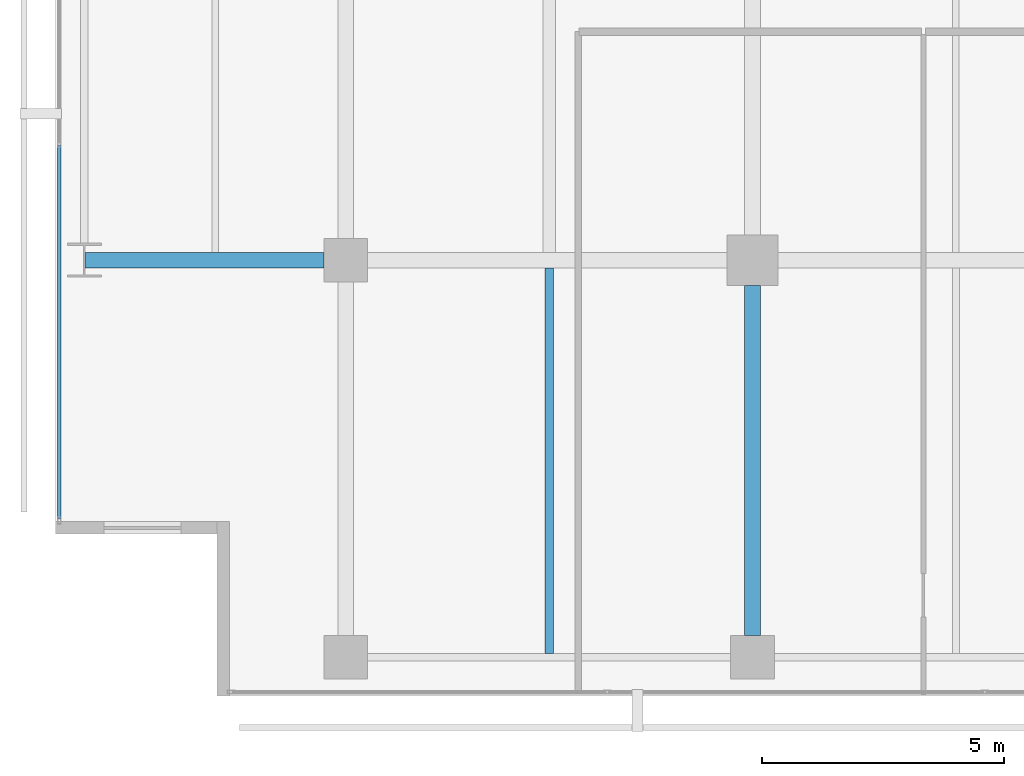
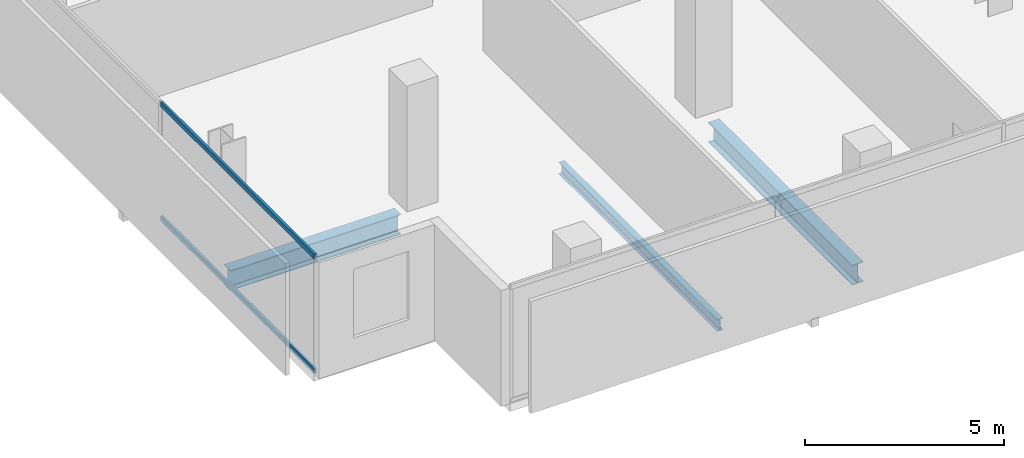
# One storey, part 4 of 39: 3 beams, 2 members, 1 element without a shape of its own.
"""IFC4 building model written with IfcOpenShell, lengths in metres."""

from ifc_helpers import new_model, si_unit, direction, frame, origin, origin_2d, place, context, subcontext, project, spatial, hollow_rectangle, i_section, extrude, material, layer, layer_set, material_profile, profile_set, type_object, element, aggregate, save


model = new_model("IFC4")

# Units and contexts
model_context = context("Model", 3, precision=1e-05, world=origin(), true_north=direction((0.0, 1.0)))
body_context = subcontext(model_context, "Body", "Model", "MODEL_VIEW")
ifc_project = project(units=[si_unit("LENGTHUNIT", "METRE"), si_unit("AREAUNIT", "SQUARE_METRE"), si_unit("VOLUMEUNIT", "CUBIC_METRE"), si_unit("PLANEANGLEUNIT", "RADIAN"), si_unit("MASSUNIT", "GRAM", prefix="KILO")], contexts=[model_context])

# Site, building, storey
site_placement = place(None, origin())
site = spatial("IfcSite", under=ifc_project, at=site_placement, CompositionType="ELEMENT")
building_placement = place(site_placement, origin())
building = spatial("IfcBuilding", under=site, at=building_placement, Name="Maruvema Waterfront Hotel and Observation Tower", CompositionType="ELEMENT")
storey_placement = place(building_placement, frame((0.0, 0.0, 111.64990234375)))
storey = spatial("IfcBuildingStorey", under=building, at=storey_placement, Name="L27", CompositionType="ELEMENT", Elevation=111.64990234375)

# Curtain wall, members
ifc_material_1 = material(Name="Anodised bronze aluminium and solar-control low-E IGU", Category="aluminium")
ifc_layer = layer(ifc_material_1, 0.159912109375, Name="Zone 1 Bronze Inner Thermal Curtain Wall System CW-02")
ifc_layer_set = layer_set([ifc_layer], Name="Anodised bronze aluminium and solar-control low-E IGU")
curtain_wall_type = type_object("IfcCurtainWallType", Name="Zone 1 Bronze Inner Thermal Curtain Wall System CW-02", PredefinedType="USERDEFINED", material=ifc_layer_set)
curtain_wall_placement = place(storey_placement, origin())
curtain_wall = element("IfcCurtainWall", 1, at=curtain_wall_placement, inside=storey, type_object=curtain_wall_type, Name="L27 Curtain Wall CW-L27-W", ObjectType="UNITISED CURTAIN WALL", PredefinedType="USERDEFINED")
ifc_material_2 = material(Name="Anodised architectural bronze aluminium", Category="aluminium")
ifc_material_profile_1 = material_profile(ifc_material_2, hollow_rectangle(XDim=0.070068359375, YDim=0.14990234375, WallThickness=0.00390625, at=origin_2d()), Name="ALU-T70x150")
ifc_profile_set_1 = profile_set([ifc_material_profile_1], Name="Anodised architectural bronze aluminium")
member_type = type_object("IfcMemberType", Name="Curtain Wall Horizontal Transom ALU-T70x150", PredefinedType="USERDEFINED", material=ifc_profile_set_1)
member_1_placement = place(storey_placement, frame((10.8798828125, 11.3701171875, 0.030029296875), z_axis=(0.0, -1.0, 0.0), x_axis=(1.0, 0.0, 0.0)))
member_1 = element("IfcMember", 2, at=member_1_placement, type_object=member_type, Name="CW-02 transom 6.1", ObjectType="TRANSOM", PredefinedType="USERDEFINED", context=body_context, shape_type="SweptSolid", body=[
    extrude(hollow_rectangle(XDim=0.070068359375, YDim=0.14990234375, WallThickness=0.00390625, at=origin_2d()), origin(), (0.0, 0.0, 1.0), 7.710205078125),
])
member_2_placement = place(storey_placement, frame((10.8798828125, 11.3701171875, 3.52001953125), z_axis=(0.0, -1.0, 0.0), x_axis=(1.0, 0.0, 0.0)))
member_2 = element("IfcMember", 3, at=member_2_placement, type_object=member_type, Name="CW-02 transom 6.2", ObjectType="TRANSOM", PredefinedType="USERDEFINED", context=body_context, shape_type="SweptSolid", body=[
    extrude(hollow_rectangle(XDim=0.070068359375, YDim=0.14990234375, WallThickness=0.00390625, at=origin_2d()), origin(), (0.0, 0.0, 1.0), 7.710205078125),
])
aggregate(curtain_wall, [member_1, member_2])

# Beams
ifc_material_3 = material(Name="Steel ASTM A572 Grade 50", Category="steel")
ifc_material_profile_2 = material_profile(ifc_material_3, i_section(OverallWidth=0.323974609375, OverallDepth=0.611083984375, WebThickness=0.0126953125, FlangeThickness=0.01904296875, FilletRadius=0.01806640625, at=origin_2d()), Name="W610x155.0")
ifc_profile_set_2 = profile_set([ifc_material_profile_2], Name="Steel ASTM A572 Grade 50")
beam_type_1 = type_object("IfcBeamType", Name="Primary Floor Girder W610x155.0", PredefinedType="BEAM", material=ifc_profile_set_2)
beam_1_placement = place(storey_placement, frame((11.4140625, 9.0, -0.54541015625), z_axis=(1.0, 0.0, 0.0), x_axis=(0.0, 1.0, 0.0)))
element("IfcBeam", 4, at=beam_1_placement, inside=storey, type_object=beam_type_1, Name="L27 Floor Girder EW-06", PredefinedType="BEAM", context=body_context, shape_type="SweptSolid", body=[
    extrude(i_section(OverallWidth=0.323974609375, OverallDepth=0.611083984375, WebThickness=0.0126953125, FlangeThickness=0.01904296875, FilletRadius=0.01806640625, at=origin_2d()), origin(), (0.0, 0.0, 1.0), 4.93603515625),
])
beam_2_placement = place(storey_placement, frame((25.199951171875, 1.25, -0.54541015625), z_axis=(0.0, 1.0, 0.0), x_axis=(-1.0, 0.0, 0.0)))
element("IfcBeam", 5, at=beam_2_placement, inside=storey, type_object=beam_type_1, Name="L27 Floor Girder NS-11", PredefinedType="BEAM", context=body_context, shape_type="SweptSolid", body=[
    extrude(i_section(OverallWidth=0.323974609375, OverallDepth=0.611083984375, WebThickness=0.0126953125, FlangeThickness=0.01904296875, FilletRadius=0.01806640625, at=origin_2d()), origin(), (0.0, 0.0, 1.0), 7.22509765625),
])
ifc_material_4 = material(Name="Steel ASTM A572 Grade 50", Category="steel")
ifc_material_profile_3 = material_profile(ifc_material_4, i_section(OverallWidth=0.1708984375, OverallDepth=0.35498046875, WebThickness=0.007080078125, FlangeThickness=0.01171875, FilletRadius=0.014892578125, at=origin_2d()), Name="W360x51.0")
ifc_profile_set_3 = profile_set([ifc_material_profile_3], Name="Steel ASTM A572 Grade 50")
beam_type_2 = type_object("IfcBeamType", Name="Secondary Floor Joist W360x51.0", PredefinedType="JOIST", material=ifc_profile_set_3)
beam_3_placement = place(storey_placement, frame((21.0, 0.87646484375, -0.41748046875), z_axis=(0.0, 1.0, 0.0), x_axis=(-1.0, 0.0, 0.0)))
element("IfcBeam", 6, at=beam_3_placement, inside=storey, type_object=beam_type_2, Name="L27 Secondary Floor Joist JS-05", PredefinedType="JOIST", context=body_context, shape_type="SweptSolid", body=[
    extrude(i_section(OverallWidth=0.1708984375, OverallDepth=0.35498046875, WebThickness=0.007080078125, FlangeThickness=0.01171875, FilletRadius=0.014892578125, at=origin_2d()), origin(), (0.0, 0.0, 1.0), 7.96142578125),
])

save(model, "model.ifc")
